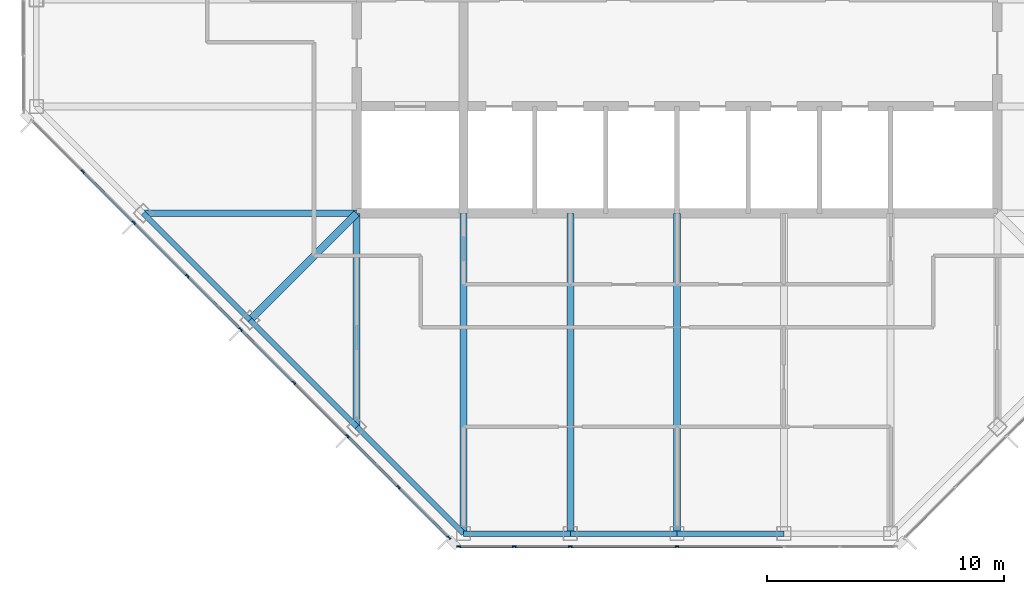
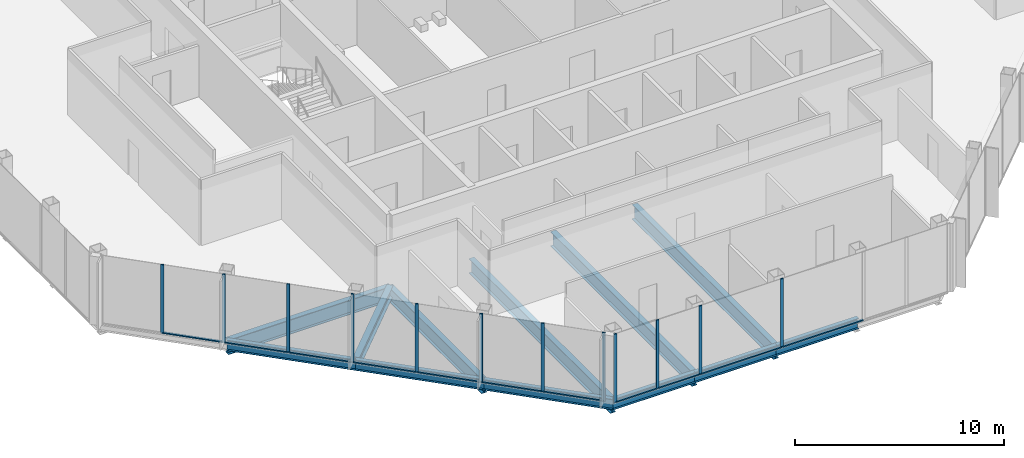
# One storey, part 2 of 14: 23 members, 12 beams, 2 elements without a shape of their own.
"""IFC4 building model written with IfcOpenShell, lengths in metres."""

from ifc_helpers import new_model, si_unit, direction, frame, origin, origin_2d, place, context, subcontext, project, spatial, rectangle, i_section, extrude, material, material_profile, profile_set, type_object, element, aggregate, save


model = new_model("IFC4")

# Units and contexts
model_context = context("Model", 3, precision=1e-05, world=origin(), true_north=direction((0.0, 1.0)))
body_context = subcontext(model_context, "Body", "Model", "MODEL_VIEW")
ifc_project = project(units=[si_unit("LENGTHUNIT", "METRE"), si_unit("AREAUNIT", "SQUARE_METRE"), si_unit("VOLUMEUNIT", "CUBIC_METRE"), si_unit("PLANEANGLEUNIT", "RADIAN"), si_unit("MASSUNIT", "GRAM", prefix="KILO")], contexts=[model_context])

# Site, building, storey
site_placement = place(None, origin())
site = spatial("IfcSite", under=ifc_project, at=site_placement, CompositionType="ELEMENT")
building_placement = place(site_placement, origin())
building = spatial("IfcBuilding", under=site, at=building_placement, Name="Corais Broadcast Tower", CompositionType="ELEMENT")
storey_placement = place(building_placement, frame((0.0, 0.0, 282.60009765625)))
storey = spatial("IfcBuildingStorey", under=building, at=storey_placement, Name="L66", CompositionType="ELEMENT", Elevation=282.60009765625)

# Beams
ifc_material_1 = material(Name="Steel ASTM A572 Grade 50", Category="steel")
ifc_material_profile_1 = material_profile(ifc_material_1, i_section(OverallWidth=0.323974609375, OverallDepth=0.611083984375, WebThickness=0.0126953125, FlangeThickness=0.01904296875, at=origin_2d()), Name="W610x155")
ifc_profile_set_1 = profile_set([ifc_material_profile_1], Name="Steel ASTM A572 Grade 50")
beam_type_1 = type_object("IfcBeamType", Name="Corner diagonal W610x155", PredefinedType="BEAM", material=ifc_profile_set_1)
beam_1_placement = place(storey_placement, frame((9.0, 9.0, -0.465576171875), z_axis=(0.707106781187, 0.707106781187, 0.0), x_axis=(-0.707106781187, 0.707106781187, 0.0)))
element("IfcBeam", 1, at=beam_1_placement, inside=storey, type_object=beam_type_1, Name="B6 C/5 to D/6", PredefinedType="BEAM", context=body_context, shape_type="SweptSolid", body=[
    extrude(i_section(OverallWidth=0.323974609375, OverallDepth=0.611083984375, WebThickness=0.0126953125, FlangeThickness=0.01904296875, at=origin_2d()), origin(), (0.0, 0.0, 1.0), 6.364013671875),
])
ifc_material_2 = material(Name="Steel ASTM A572 Grade 50", Category="steel")
ifc_material_profile_2 = material_profile(ifc_material_2, i_section(OverallWidth=0.2939453125, OverallDepth=0.85107421875, WebThickness=0.01611328125, FlangeThickness=0.02685546875, at=origin_2d()), Name="W840x226")
ifc_profile_set_2 = profile_set([ifc_material_profile_2], Name="Steel ASTM A572 Grade 50")
beam_type_2 = type_object("IfcBeamType", Name="Floor beam W840x226", PredefinedType="BEAM", material=ifc_profile_set_2)
beam_2_placement = place(storey_placement, frame((13.5, 4.5, -0.585693359375), z_axis=(0.0, 1.0, 0.0), x_axis=(-1.0, 0.0, 0.0)))
element("IfcBeam", 2, at=beam_2_placement, inside=storey, type_object=beam_type_2, Name="B1 B/6 to D/6", PredefinedType="BEAM", context=body_context, shape_type="SweptSolid", body=[
    extrude(i_section(OverallWidth=0.2939453125, OverallDepth=0.85107421875, WebThickness=0.01611328125, FlangeThickness=0.02685546875, at=origin_2d()), origin(), (0.0, 0.0, 1.0), 9.0),
])
for number, where, z_axis, x_axis, name in (
    (3, (18.0, 0.0, -0.585693359375), (0.0, 1.0, 0.0), (-1.0, 0.0, 0.0), "B1 A/7 to D/7"),
    (4, (22.5, 0.0, -0.585693359375), (0.0, 1.0, 0.0), (-1.0, 0.0, 0.0), "B1 A/8 to D/8"),
    (5, (27.0, 0.0, -0.585693359375), (0.0, 1.0, 0.0), (-1.0, 0.0, 0.0), "B1 A/9 to D/9"),
):
    element("IfcBeam", number, at=place(storey_placement, frame(where, z_axis=z_axis, x_axis=x_axis)), inside=storey, type_object=beam_type_2, Name=name, PredefinedType="BEAM", context=body_context, shape_type="SweptSolid", body=[
        extrude(i_section(OverallWidth=0.2939453125, OverallDepth=0.85107421875, WebThickness=0.01611328125, FlangeThickness=0.02685546875, at=origin_2d()), origin(), (0.0, 0.0, 1.0), 13.5),
    ])
beam_3_placement = place(storey_placement, frame((4.5, 13.5, -0.585693359375), z_axis=(1.0, 0.0, 0.0), x_axis=(0.0, 1.0, 0.0)))
element("IfcBeam", 6, at=beam_3_placement, inside=storey, type_object=beam_type_2, Name="B1 D/4 to D/6", PredefinedType="BEAM", context=body_context, shape_type="SweptSolid", body=[
    extrude(i_section(OverallWidth=0.2939453125, OverallDepth=0.85107421875, WebThickness=0.01611328125, FlangeThickness=0.02685546875, at=origin_2d()), origin(), (0.0, 0.0, 1.0), 9.0),
])

# Curtain wall, members
ifc_material_3 = material(Name="Aluminium and glass", Category="aluminium")
curtain_wall_type = type_object("IfcCurtainWallType", Name="Unitised fritted curtain wall CW3", PredefinedType="NOTDEFINED", material=ifc_material_3)
curtain_wall_1_placement = place(storey_placement, origin())
curtain_wall_1 = element("IfcCurtainWall", 7, at=curtain_wall_1_placement, inside=storey, type_object=curtain_wall_type, Name="CW3 curtain wall L66 1", PredefinedType="NOTDEFINED")
ifc_material_4 = material(Name="Aluminium 6063-T6", Category="aluminium")
ifc_material_profile_3 = material_profile(ifc_material_4, rectangle(XDim=0.06494140625, YDim=0.159912109375, at=origin_2d()), Name="Mullion CW3 65x160")
ifc_profile_set_3 = profile_set([ifc_material_profile_3], Name="Aluminium 6063-T6")
member_type_1 = type_object("IfcMemberType", Name="Mullion CW3 65x160", PredefinedType="MULLION", material=ifc_profile_set_3)
member_1_placement = place(storey_placement, frame((17.3955078125, -0.17333984375, 0.0), z_axis=(0.0, 0.0, 1.0), x_axis=(-0.707106781187, -0.707106781187, 0.0)))
member_1 = element("IfcMember", 8, at=member_1_placement, type_object=member_type_1, Name="CW3 mullion 1", PredefinedType="MULLION", context=body_context, shape_type="SweptSolid", body=[
    extrude(rectangle(XDim=0.06494140625, YDim=0.159912109375, at=origin_2d()), origin(), (0.0, 0.0, 1.0), 4.0),
])
member_2_placement = place(storey_placement, frame((15.264892578125, 1.957275390625, 0.0), z_axis=(0.0, 0.0, 1.0), x_axis=(-0.707106781187, -0.707106781187, 0.0)))
member_2 = element("IfcMember", 9, at=member_2_placement, type_object=member_type_1, Name="CW3 mullion 2", PredefinedType="MULLION", context=body_context, shape_type="SweptSolid", body=[
    extrude(rectangle(XDim=0.06494140625, YDim=0.159912109375, at=origin_2d()), origin(), (0.0, 0.0, 1.0), 4.0),
])
member_3_placement = place(storey_placement, frame((13.111083984375, 4.111083984375, 0.0), z_axis=(0.0, 0.0, 1.0), x_axis=(-0.707106781187, -0.707106781187, 0.0)))
member_3 = element("IfcMember", 10, at=member_3_placement, type_object=member_type_1, Name="CW3 mullion 3", PredefinedType="MULLION", context=body_context, shape_type="SweptSolid", body=[
    extrude(rectangle(XDim=0.06494140625, YDim=0.159912109375, at=origin_2d()), origin(), (0.0, 0.0, 1.0), 4.0),
])
member_4_placement = place(storey_placement, frame((10.861083984375, 6.361083984375, 0.0), z_axis=(0.0, 0.0, 1.0), x_axis=(-0.707106781187, -0.707106781187, 0.0)))
member_4 = element("IfcMember", 11, at=member_4_placement, type_object=member_type_1, Name="CW3 mullion 4", PredefinedType="MULLION", context=body_context, shape_type="SweptSolid", body=[
    extrude(rectangle(XDim=0.06494140625, YDim=0.159912109375, at=origin_2d()), origin(), (0.0, 0.0, 1.0), 4.0),
])
member_5_placement = place(storey_placement, frame((8.611083984375, 8.611083984375, 0.0), z_axis=(0.0, 0.0, 1.0), x_axis=(-0.707106781187, -0.707106781187, 0.0)))
member_5 = element("IfcMember", 12, at=member_5_placement, type_object=member_type_1, Name="CW3 mullion 5", PredefinedType="MULLION", context=body_context, shape_type="SweptSolid", body=[
    extrude(rectangle(XDim=0.06494140625, YDim=0.159912109375, at=origin_2d()), origin(), (0.0, 0.0, 1.0), 4.0),
])
member_6_placement = place(storey_placement, frame((6.361083984375, 10.861083984375, 0.0), z_axis=(0.0, 0.0, 1.0), x_axis=(-0.707106781187, -0.707106781187, 0.0)))
member_6 = element("IfcMember", 13, at=member_6_placement, type_object=member_type_1, Name="CW3 mullion 6", PredefinedType="MULLION", context=body_context, shape_type="SweptSolid", body=[
    extrude(rectangle(XDim=0.06494140625, YDim=0.159912109375, at=origin_2d()), origin(), (0.0, 0.0, 1.0), 4.0),
])
member_7_placement = place(storey_placement, frame((4.111083984375, 13.111083984375, 0.0), z_axis=(0.0, 0.0, 1.0), x_axis=(-0.707106781187, -0.707106781187, 0.0)))
member_7 = element("IfcMember", 14, at=member_7_placement, type_object=member_type_1, Name="CW3 mullion 7", PredefinedType="MULLION", context=body_context, shape_type="SweptSolid", body=[
    extrude(rectangle(XDim=0.06494140625, YDim=0.159912109375, at=origin_2d()), origin(), (0.0, 0.0, 1.0), 4.0),
])
member_8_placement = place(storey_placement, frame((1.957275390625, 15.264892578125, 0.0), z_axis=(0.0, 0.0, 1.0), x_axis=(-0.707106781187, -0.707106781187, 0.0)))
member_8 = element("IfcMember", 15, at=member_8_placement, type_object=member_type_1, Name="CW3 mullion 8", PredefinedType="MULLION", context=body_context, shape_type="SweptSolid", body=[
    extrude(rectangle(XDim=0.06494140625, YDim=0.159912109375, at=origin_2d()), origin(), (0.0, 0.0, 1.0), 4.0),
])

curtain_wall_2_placement = place(storey_placement, origin())
curtain_wall_2 = element("IfcCurtainWall", 16, at=curtain_wall_2_placement, inside=storey, type_object=curtain_wall_type, Name="CW3 curtain wall L66 8", PredefinedType="NOTDEFINED")
member_9_placement = place(storey_placement, frame((27.0, -0.550048828125, 0.0), z_axis=(0.0, 0.0, 1.0), x_axis=(0.0, -1.0, 0.0)))
member_9 = element("IfcMember", 17, at=member_9_placement, type_object=member_type_1, Name="CW3 mullion 4", PredefinedType="MULLION", context=body_context, shape_type="SweptSolid", body=[
    extrude(rectangle(XDim=0.06494140625, YDim=0.159912109375, at=origin_2d()), origin(), (0.0, 0.0, 1.0), 4.0),
])
member_10_placement = place(storey_placement, frame((22.5, -0.550048828125, 0.0), z_axis=(0.0, 0.0, 1.0), x_axis=(0.0, -1.0, 0.0)))
member_10 = element("IfcMember", 18, at=member_10_placement, type_object=member_type_1, Name="CW3 mullion 5", PredefinedType="MULLION", context=body_context, shape_type="SweptSolid", body=[
    extrude(rectangle(XDim=0.06494140625, YDim=0.159912109375, at=origin_2d()), origin(), (0.0, 0.0, 1.0), 4.0),
])
member_11_placement = place(storey_placement, frame((20.135986328125, -0.550048828125, 0.0), z_axis=(0.0, 0.0, 1.0), x_axis=(0.0, -1.0, 0.0)))
member_11 = element("IfcMember", 19, at=member_11_placement, type_object=member_type_1, Name="CW3 mullion 6", PredefinedType="MULLION", context=body_context, shape_type="SweptSolid", body=[
    extrude(rectangle(XDim=0.06494140625, YDim=0.159912109375, at=origin_2d()), origin(), (0.0, 0.0, 1.0), 4.0),
])
member_12_placement = place(storey_placement, frame((17.8046875, -0.550048828125, 0.0), z_axis=(0.0, 0.0, 1.0), x_axis=(0.0, -1.0, 0.0)))
member_12 = element("IfcMember", 20, at=member_12_placement, type_object=member_type_1, Name="CW3 mullion 7", PredefinedType="MULLION", context=body_context, shape_type="SweptSolid", body=[
    extrude(rectangle(XDim=0.06494140625, YDim=0.159912109375, at=origin_2d()), origin(), (0.0, 0.0, 1.0), 4.0),
])

# Beams
ifc_material_5 = material(Name="Steel ASTM A572 Grade 50", Category="steel")
ifc_material_profile_4 = material_profile(ifc_material_5, i_section(OverallWidth=0.22998046875, OverallDepth=0.616943359375, WebThickness=0.01318359375, FlangeThickness=0.022216796875, at=origin_2d()), Name="W610x140")
ifc_profile_set_4 = profile_set([ifc_material_profile_4], Name="Steel ASTM A572 Grade 50")
beam_type_3 = type_object("IfcBeamType", Name="Spandrel W610x140", PredefinedType="BEAM", material=ifc_profile_set_4)
beam_4_placement = place(storey_placement, frame((13.5, 4.5, -0.468505859375), z_axis=(0.707106781187, -0.707106781187, 0.0), x_axis=(0.707106781187, 0.707106781187, 0.0)))
element("IfcBeam", 21, at=beam_4_placement, inside=storey, type_object=beam_type_3, Name="SB3 B/6 to A/7", PredefinedType="BEAM", context=body_context, shape_type="SweptSolid", body=[
    extrude(i_section(OverallWidth=0.22998046875, OverallDepth=0.616943359375, WebThickness=0.01318359375, FlangeThickness=0.022216796875, at=origin_2d()), origin(), (0.0, 0.0, 1.0), 6.364013671875),
])
for number, where, z_axis, x_axis, name in (
    (22, (18.0, 0.0, -0.468505859375), (1.0, 0.0, 0.0), (0.0, 1.0, 0.0), "SB3 A/7 to A/8"),
    (23, (22.5, 0.0, -0.468505859375), (1.0, 0.0, 0.0), (0.0, 1.0, 0.0), "SB3 A/8 to A/9"),
    (24, (27.0, 0.0, -0.468505859375), (1.0, 0.0, 0.0), (0.0, 1.0, 0.0), "SB3 A/9 to A/10"),
):
    element("IfcBeam", number, at=place(storey_placement, frame(where, z_axis=z_axis, x_axis=x_axis)), inside=storey, type_object=beam_type_3, Name=name, PredefinedType="BEAM", context=body_context, shape_type="SweptSolid", body=[
        extrude(i_section(OverallWidth=0.22998046875, OverallDepth=0.616943359375, WebThickness=0.01318359375, FlangeThickness=0.022216796875, at=origin_2d()), origin(), (0.0, 0.0, 1.0), 4.5),
    ])
for number, where, z_axis, x_axis, name in (
    (25, (4.5, 13.5, -0.468505859375), (0.707106781187, -0.707106781187, 0.0), (0.707106781187, 0.707106781187, 0.0), "SB3 D/4 to C/5"),
    (26, (9.0, 9.0, -0.468505859375), (0.707106781187, -0.707106781187, 0.0), (0.707106781187, 0.707106781187, 0.0), "SB3 C/5 to B/6"),
):
    element("IfcBeam", number, at=place(storey_placement, frame(where, z_axis=z_axis, x_axis=x_axis)), inside=storey, type_object=beam_type_3, Name=name, PredefinedType="BEAM", context=body_context, shape_type="SweptSolid", body=[
        extrude(i_section(OverallWidth=0.22998046875, OverallDepth=0.616943359375, WebThickness=0.01318359375, FlangeThickness=0.022216796875, at=origin_2d()), origin(), (0.0, 0.0, 1.0), 6.364013671875),
    ])

# Member
ifc_material_6 = material(Name="Aluminium 6063-T6", Category="aluminium")
ifc_material_profile_5 = material_profile(ifc_material_6, rectangle(XDim=0.1201171875, YDim=0.06494140625, at=origin_2d()), Name="Transom CW3 65x120")
ifc_profile_set_5 = profile_set([ifc_material_profile_5], Name="Aluminium 6063-T6")
member_type_2 = type_object("IfcMemberType", Name="Transom CW3 65x120", PredefinedType="USERDEFINED", material=ifc_profile_set_5)
member_13_placement = place(storey_placement, frame((17.37255859375, -0.150390625, 0.032470703125), z_axis=(-0.707106781187, 0.707106781187, 0.0), x_axis=(-0.707106781187, -0.707106781187, 0.0)))
member_13 = element("IfcMember", 27, at=member_13_placement, type_object=member_type_2, Name="CW3 transom 1.1", ObjectType="TRANSOM", PredefinedType="USERDEFINED", context=body_context, shape_type="SweptSolid", body=[
    extrude(rectangle(XDim=0.1201171875, YDim=0.06494140625, at=origin_2d()), origin(), (0.0, 0.0, 1.0), 2.9482421875),
])

member_14_placement = place(storey_placement, frame((15.241943359375, 1.980224609375, 0.032470703125), z_axis=(-0.707106781187, 0.707106781187, 0.0), x_axis=(-0.707106781187, -0.707106781187, 0.0)))
member_14 = element("IfcMember", 28, at=member_14_placement, type_object=member_type_2, Name="CW3 transom 2.1", ObjectType="TRANSOM", PredefinedType="USERDEFINED", context=body_context, shape_type="SweptSolid", body=[
    extrude(rectangle(XDim=0.1201171875, YDim=0.06494140625, at=origin_2d()), origin(), (0.0, 0.0, 1.0), 2.98095703125),
])

member_15_placement = place(storey_placement, frame((13.088134765625, 4.134033203125, 0.032470703125), z_axis=(-0.707106781187, 0.707106781187, 0.0), x_axis=(-0.707106781187, -0.707106781187, 0.0)))
member_15 = element("IfcMember", 29, at=member_15_placement, type_object=member_type_2, Name="CW3 transom 3.1", ObjectType="TRANSOM", PredefinedType="USERDEFINED", context=body_context, shape_type="SweptSolid", body=[
    extrude(rectangle(XDim=0.1201171875, YDim=0.06494140625, at=origin_2d()), origin(), (0.0, 0.0, 1.0), 3.1171875),
])

member_16_placement = place(storey_placement, frame((10.838134765625, 6.384033203125, 0.032470703125), z_axis=(-0.707106781187, 0.707106781187, 0.0), x_axis=(-0.707106781187, -0.707106781187, 0.0)))
member_16 = element("IfcMember", 30, at=member_16_placement, type_object=member_type_2, Name="CW3 transom 4.1", ObjectType="TRANSOM", PredefinedType="USERDEFINED", context=body_context, shape_type="SweptSolid", body=[
    extrude(rectangle(XDim=0.1201171875, YDim=0.06494140625, at=origin_2d()), origin(), (0.0, 0.0, 1.0), 3.1171875),
])

member_17_placement = place(storey_placement, frame((8.588134765625, 8.634033203125, 0.032470703125), z_axis=(-0.707106781187, 0.707106781187, 0.0), x_axis=(-0.707106781187, -0.707106781187, 0.0)))
member_17 = element("IfcMember", 31, at=member_17_placement, type_object=member_type_2, Name="CW3 transom 5.1", ObjectType="TRANSOM", PredefinedType="USERDEFINED", context=body_context, shape_type="SweptSolid", body=[
    extrude(rectangle(XDim=0.1201171875, YDim=0.06494140625, at=origin_2d()), origin(), (0.0, 0.0, 1.0), 3.1171875),
])

member_18_placement = place(storey_placement, frame((6.338134765625, 10.884033203125, 0.032470703125), z_axis=(-0.707106781187, 0.707106781187, 0.0), x_axis=(-0.707106781187, -0.707106781187, 0.0)))
member_18 = element("IfcMember", 32, at=member_18_placement, type_object=member_type_2, Name="CW3 transom 6.1", ObjectType="TRANSOM", PredefinedType="USERDEFINED", context=body_context, shape_type="SweptSolid", body=[
    extrude(rectangle(XDim=0.1201171875, YDim=0.06494140625, at=origin_2d()), origin(), (0.0, 0.0, 1.0), 3.1171875),
])

member_19_placement = place(storey_placement, frame((4.088134765625, 13.134033203125, 0.032470703125), z_axis=(-0.707065828661, 0.70714773134, 0.0), x_axis=(-0.70714773134, -0.707065828661, 0.0)))
member_19 = element("IfcMember", 33, at=member_19_placement, type_object=member_type_2, Name="CW3 transom 7.1", ObjectType="TRANSOM", PredefinedType="USERDEFINED", context=body_context, shape_type="SweptSolid", body=[
    extrude(rectangle(XDim=0.1201171875, YDim=0.06494140625, at=origin_2d()), origin(), (0.0, 0.0, 1.0), 2.98095703125),
])

aggregate(curtain_wall_1, [member_1, member_2, member_3, member_4, member_5, member_6, member_7, member_8, member_13, member_14, member_15, member_16, member_17, member_18, member_19])

member_20_placement = place(storey_placement, frame((31.467529296875, -0.550048828125, 0.032470703125), z_axis=(-1.0, 0.0, 0.0), x_axis=(0.0, -1.0, 0.0)))
member_20 = element("IfcMember", 34, at=member_20_placement, type_object=member_type_2, Name="CW3 transom 3.1", ObjectType="TRANSOM", PredefinedType="USERDEFINED", context=body_context, shape_type="SweptSolid", body=[
    extrude(rectangle(XDim=0.1201171875, YDim=0.06494140625, at=origin_2d()), origin(), (0.0, 0.0, 1.0), 4.43505859375),
])

member_21_placement = place(storey_placement, frame((26.967529296875, -0.550048828125, 0.032470703125), z_axis=(-1.0, 0.0, 0.0), x_axis=(0.0, -1.0, 0.0)))
member_21 = element("IfcMember", 35, at=member_21_placement, type_object=member_type_2, Name="CW3 transom 4.1", ObjectType="TRANSOM", PredefinedType="USERDEFINED", context=body_context, shape_type="SweptSolid", body=[
    extrude(rectangle(XDim=0.1201171875, YDim=0.06494140625, at=origin_2d()), origin(), (0.0, 0.0, 1.0), 4.43505859375),
])

member_22_placement = place(storey_placement, frame((22.467529296875, -0.550048828125, 0.032470703125), z_axis=(-1.0, 0.0, 0.0), x_axis=(0.0, -1.0, 0.0)))
member_22 = element("IfcMember", 36, at=member_22_placement, type_object=member_type_2, Name="CW3 transom 5.1", ObjectType="TRANSOM", PredefinedType="USERDEFINED", context=body_context, shape_type="SweptSolid", body=[
    extrude(rectangle(XDim=0.1201171875, YDim=0.06494140625, at=origin_2d()), origin(), (0.0, 0.0, 1.0), 2.298828125),
])

member_23_placement = place(storey_placement, frame((20.103515625, -0.550048828125, 0.032470703125), z_axis=(-1.0, 0.0, 0.0), x_axis=(0.0, -1.0, 0.0)))
member_23 = element("IfcMember", 37, at=member_23_placement, type_object=member_type_2, Name="CW3 transom 6.1", ObjectType="TRANSOM", PredefinedType="USERDEFINED", context=body_context, shape_type="SweptSolid", body=[
    extrude(rectangle(XDim=0.1201171875, YDim=0.06494140625, at=origin_2d()), origin(), (0.0, 0.0, 1.0), 2.266357421875),
])

aggregate(curtain_wall_2, [member_9, member_10, member_11, member_12, member_20, member_21, member_22, member_23])

save(model, "model.ifc")
